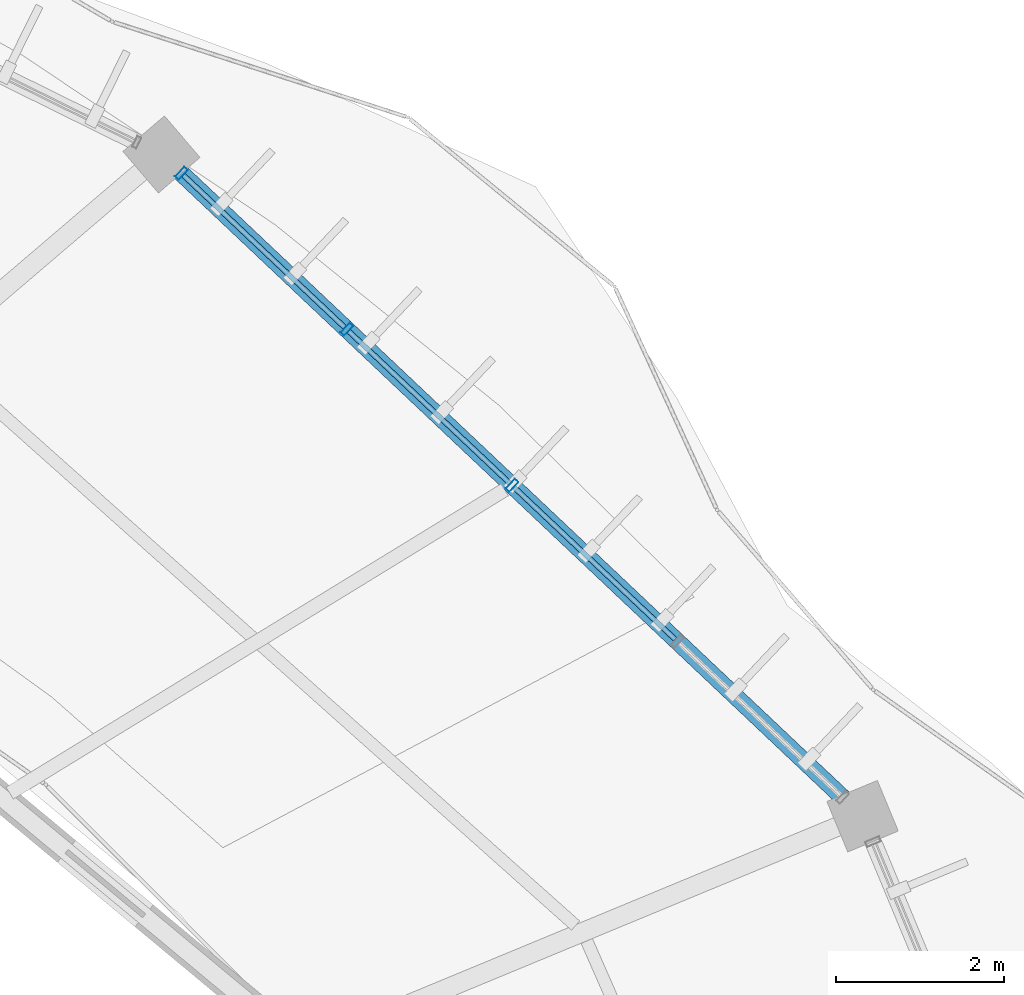
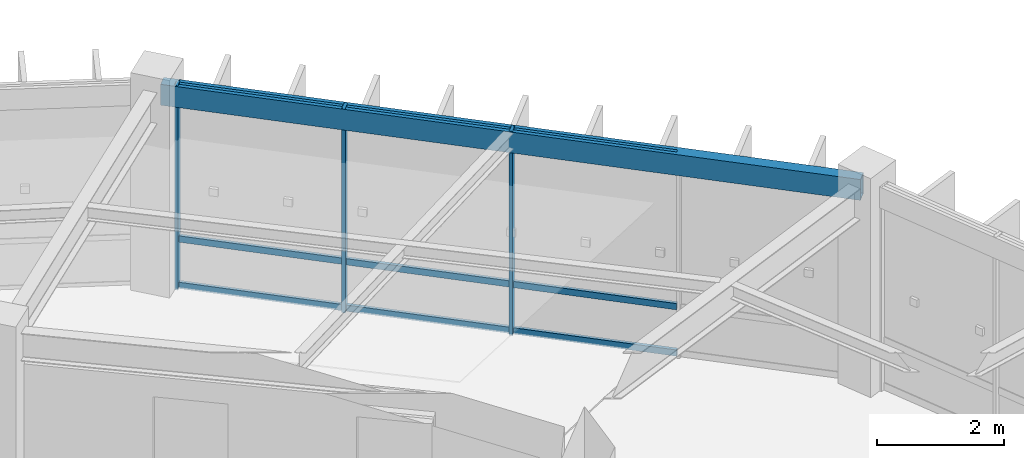
# One storey, part 82 of 114: 12 members, 1 beam, 1 element without a shape of its own.
"""IFC4 building model written with IfcOpenShell, lengths in metres."""

from ifc_helpers import new_model, si_unit, direction, frame, origin, origin_2d, place, context, subcontext, project, spatial, hollow_rectangle, extrude, material, material_profile, profile_set, type_object, element, aggregate, save


model = new_model("IFC4")

# Units and contexts
model_context = context("Model", 3, precision=1e-05, world=origin(), true_north=direction((0.0, 1.0)))
body_context = subcontext(model_context, "Body", "Model", "MODEL_VIEW")
ifc_project = project(units=[si_unit("LENGTHUNIT", "METRE"), si_unit("AREAUNIT", "SQUARE_METRE"), si_unit("VOLUMEUNIT", "CUBIC_METRE"), si_unit("PLANEANGLEUNIT", "RADIAN"), si_unit("MASSUNIT", "GRAM", prefix="KILO"), si_unit("THERMODYNAMICTEMPERATUREUNIT", "KELVIN"), si_unit("POWERUNIT", "WATT")], contexts=[model_context])

# Site, building, storey
site_placement = place(None, origin())
site = spatial("IfcSite", under=ifc_project, at=site_placement, CompositionType="ELEMENT")
building_placement = place(site_placement, origin())
building = spatial("IfcBuilding", under=site, at=building_placement, Name="Darbajah Civic Hall", CompositionType="ELEMENT")
storey_placement = place(building_placement, frame((0.0, 0.0, 13.800048828125)))
storey = spatial("IfcBuildingStorey", under=building, at=storey_placement, Name="L03", CompositionType="ELEMENT", Elevation=13.800048828125)

# Curtain wall, members
ifc_material_1 = material(Name="Anodised Bronze Aluminium and Low-E Glazing", Category="aluminium")
curtain_wall_type = type_object("IfcCurtainWallType", Name="Unitised Curtain Wall CW-39 10800x3900", PredefinedType="USERDEFINED", material=ifc_material_1)
curtain_wall_placement = place(storey_placement, origin())
curtain_wall = element("IfcCurtainWall", 1, at=curtain_wall_placement, inside=storey, type_object=curtain_wall_type, Name="L03 unitised curtain wall CW-V1O-L03-01", ObjectType="UNITISED CURTAIN WALL", PredefinedType="USERDEFINED")
ifc_material_2 = material(Name="Anodised Bronze Aluminium", Category="aluminium")
ifc_material_profile_1 = material_profile(ifc_material_2, hollow_rectangle(XDim=0.06005859375, YDim=0.159912109375, WallThickness=0.00341796875, at=origin_2d()), Name="ALU MULLION 60x160")
ifc_profile_set_1 = profile_set([ifc_material_profile_1], Name="Anodised Bronze Aluminium")
member_type_1 = type_object("IfcMemberType", Name="ALU MULLION 60x160", PredefinedType="MULLION", material=ifc_profile_set_1)
member_1_placement = place(storey_placement, frame((132.04931640625, 105.02392578125, 0.0), z_axis=(0.0, 0.0, 1.0), x_axis=(-0.727173991201, 0.686453193248, 0.0)))
member_1 = element("IfcMember", 2, at=member_1_placement, type_object=member_type_1, Name="CW-V1O-L03-01 mullion 3", PredefinedType="MULLION", context=body_context, shape_type="SweptSolid", body=[
    extrude(hollow_rectangle(XDim=0.06005859375, YDim=0.159912109375, WallThickness=0.00341796875, at=origin_2d()), origin(), (0.0, 0.0, 1.0), 3.919921875),
])
member_2_placement = place(storey_placement, frame((130.083984375, 106.879150390625, 0.0), z_axis=(0.0, 0.0, 1.0), x_axis=(-0.727173991201, 0.686453193248, 0.0)))
member_2 = element("IfcMember", 3, at=member_2_placement, type_object=member_type_1, Name="CW-V1O-L03-01 mullion 4", PredefinedType="MULLION", context=body_context, shape_type="SweptSolid", body=[
    extrude(hollow_rectangle(XDim=0.06005859375, YDim=0.159912109375, WallThickness=0.00341796875, at=origin_2d()), origin(), (0.0, 0.0, 1.0), 3.919921875),
])
member_3_placement = place(storey_placement, frame((128.118408203125, 108.734130859375, 0.0), z_axis=(0.0, 0.0, 1.0), x_axis=(-0.727173991201, 0.686453193248, 0.0)))
member_3 = element("IfcMember", 4, at=member_3_placement, type_object=member_type_1, Name="CW-V1O-L03-01 mullion 5", PredefinedType="MULLION", context=body_context, shape_type="SweptSolid", body=[
    extrude(hollow_rectangle(XDim=0.06005859375, YDim=0.159912109375, WallThickness=0.00341796875, at=origin_2d()), origin(), (0.0, 0.0, 1.0), 3.919921875),
])
ifc_material_profile_2 = material_profile(ifc_material_2, hollow_rectangle(XDim=0.06005859375, YDim=0.1201171875, WallThickness=0.003173828125, at=origin_2d()), Name="ALU TRANSOM 60x120")
ifc_profile_set_2 = profile_set([ifc_material_profile_2], Name="Anodised Bronze Aluminium")
member_type_2 = type_object("IfcMemberType", Name="ALU TRANSOM 60x120", PredefinedType="USERDEFINED", material=ifc_profile_set_2)
member_4_placement = place(storey_placement, frame((133.9892578125, 103.19287109375, 0.06005859375), z_axis=(-0.727213715679, 0.686411109852, 0.0), x_axis=(-0.686411109852, -0.727213715679, 0.0)))
member_4 = element("IfcMember", 5, at=member_4_placement, type_object=member_type_2, Name="CW-V1O-L03-01 transom 2.1", ObjectType="TRANSOM", PredefinedType="USERDEFINED", context=body_context, shape_type="SweptSolid", body=[
    extrude(hollow_rectangle(XDim=0.06005859375, YDim=0.1201171875, WallThickness=0.003173828125, at=origin_2d()), origin(), (0.0, 0.0, 1.0), 2.6328125),
])
member_5_placement = place(storey_placement, frame((133.9892578125, 103.19287109375, 0.949951171875), z_axis=(-0.727213715679, 0.686411109852, 0.0), x_axis=(-0.686411109852, -0.727213715679, 0.0)))
member_5 = element("IfcMember", 6, at=member_5_placement, type_object=member_type_2, Name="CW-V1O-L03-01 transom 2.2", ObjectType="TRANSOM", PredefinedType="USERDEFINED", context=body_context, shape_type="SweptSolid", body=[
    extrude(hollow_rectangle(XDim=0.06005859375, YDim=0.1201171875, WallThickness=0.003173828125, at=origin_2d()), origin(), (0.0, 0.0, 1.0), 2.6328125),
])
member_6_placement = place(storey_placement, frame((133.9892578125, 103.19287109375, 3.85986328125), z_axis=(-0.727213715679, 0.686411109852, 0.0), x_axis=(-0.686411109852, -0.727213715679, 0.0)))
member_6 = element("IfcMember", 7, at=member_6_placement, type_object=member_type_2, Name="CW-V1O-L03-01 transom 2.3", ObjectType="TRANSOM", PredefinedType="USERDEFINED", context=body_context, shape_type="SweptSolid", body=[
    extrude(hollow_rectangle(XDim=0.06005859375, YDim=0.1201171875, WallThickness=0.003173828125, at=origin_2d()), origin(), (0.0, 0.0, 1.0), 2.6328125),
])
member_7_placement = place(storey_placement, frame((132.023681640625, 105.048095703125, 0.06005859375), z_axis=(-0.727216313227, 0.686408357887, 0.0), x_axis=(-0.686408357887, -0.727216313227, 0.0)))
member_7 = element("IfcMember", 8, at=member_7_placement, type_object=member_type_2, Name="CW-V1O-L03-01 transom 3.1", ObjectType="TRANSOM", PredefinedType="USERDEFINED", context=body_context, shape_type="SweptSolid", body=[
    extrude(hollow_rectangle(XDim=0.06005859375, YDim=0.1201171875, WallThickness=0.003173828125, at=origin_2d()), origin(), (0.0, 0.0, 1.0), 2.63232421875),
])
member_8_placement = place(storey_placement, frame((132.023681640625, 105.048095703125, 0.949951171875), z_axis=(-0.727216313227, 0.686408357887, 0.0), x_axis=(-0.686408357887, -0.727216313227, 0.0)))
member_8 = element("IfcMember", 9, at=member_8_placement, type_object=member_type_2, Name="CW-V1O-L03-01 transom 3.2", ObjectType="TRANSOM", PredefinedType="USERDEFINED", context=body_context, shape_type="SweptSolid", body=[
    extrude(hollow_rectangle(XDim=0.06005859375, YDim=0.1201171875, WallThickness=0.003173828125, at=origin_2d()), origin(), (0.0, 0.0, 1.0), 2.63232421875),
])
member_9_placement = place(storey_placement, frame((132.023681640625, 105.048095703125, 3.85986328125), z_axis=(-0.727216313227, 0.686408357887, 0.0), x_axis=(-0.686408357887, -0.727216313227, 0.0)))
member_9 = element("IfcMember", 10, at=member_9_placement, type_object=member_type_2, Name="CW-V1O-L03-01 transom 3.3", ObjectType="TRANSOM", PredefinedType="USERDEFINED", context=body_context, shape_type="SweptSolid", body=[
    extrude(hollow_rectangle(XDim=0.06005859375, YDim=0.1201171875, WallThickness=0.003173828125, at=origin_2d()), origin(), (0.0, 0.0, 1.0), 2.63232421875),
])
member_10_placement = place(storey_placement, frame((130.058349609375, 106.903076171875, 0.06005859375), z_axis=(-0.727170019067, 0.686457400987, 0.0), x_axis=(-0.686457400987, -0.727170019067, 0.0)))
member_10 = element("IfcMember", 11, at=member_10_placement, type_object=member_type_2, Name="CW-V1O-L03-01 transom 4.1", ObjectType="TRANSOM", PredefinedType="USERDEFINED", context=body_context, shape_type="SweptSolid", body=[
    extrude(hollow_rectangle(XDim=0.06005859375, YDim=0.1201171875, WallThickness=0.003173828125, at=origin_2d()), origin(), (0.0, 0.0, 1.0), 2.632568359375),
])
member_11_placement = place(storey_placement, frame((130.058349609375, 106.903076171875, 0.949951171875), z_axis=(-0.727170019067, 0.686457400987, 0.0), x_axis=(-0.686457400987, -0.727170019067, 0.0)))
member_11 = element("IfcMember", 12, at=member_11_placement, type_object=member_type_2, Name="CW-V1O-L03-01 transom 4.2", ObjectType="TRANSOM", PredefinedType="USERDEFINED", context=body_context, shape_type="SweptSolid", body=[
    extrude(hollow_rectangle(XDim=0.06005859375, YDim=0.1201171875, WallThickness=0.003173828125, at=origin_2d()), origin(), (0.0, 0.0, 1.0), 2.632568359375),
])
member_12_placement = place(storey_placement, frame((130.058349609375, 106.903076171875, 3.85986328125), z_axis=(-0.727170019067, 0.686457400987, 0.0), x_axis=(-0.686457400987, -0.727170019067, 0.0)))
member_12 = element("IfcMember", 13, at=member_12_placement, type_object=member_type_2, Name="CW-V1O-L03-01 transom 4.3", ObjectType="TRANSOM", PredefinedType="USERDEFINED", context=body_context, shape_type="SweptSolid", body=[
    extrude(hollow_rectangle(XDim=0.06005859375, YDim=0.1201171875, WallThickness=0.003173828125, at=origin_2d()), origin(), (0.0, 0.0, 1.0), 2.632568359375),
])
aggregate(curtain_wall, [member_1, member_2, member_3, member_4, member_5, member_6, member_7, member_8, member_9, member_10, member_11, member_12])

# Beam
ifc_material_3 = material(Name="Steel S355JR", Category="steel")
ifc_material_profile_3 = material_profile(ifc_material_3, hollow_rectangle(XDim=0.199951171875, YDim=0.39990234375, WallThickness=0.013916015625, at=origin_2d()), Name="RHS 400x200x14")
ifc_profile_set_3 = profile_set([ifc_material_profile_3], Name="Steel S355JR")
beam_type = type_object("IfcBeamType", Name="RHS 400x200x14", PredefinedType="SPANDREL", material=ifc_profile_set_3)
beam_placement = place(storey_placement, frame((136.15966796875, 101.14404296875, 3.719970703125), z_axis=(-0.727199990638, 0.686425650465, 0.0), x_axis=(-0.686425650465, -0.727199990638, 0.0)))
element("IfcBeam", 14, at=beam_placement, inside=storey, type_object=beam_type, Name="L03 beam SP-RHS400", PredefinedType="SPANDREL", context=body_context, shape_type="SweptSolid", body=[
    extrude(hollow_rectangle(XDim=0.199951171875, YDim=0.39990234375, WallThickness=0.013916015625, at=origin_2d()), origin(), (0.0, 0.0, 1.0), 11.3046875),
])

save(model, "model.ifc")
